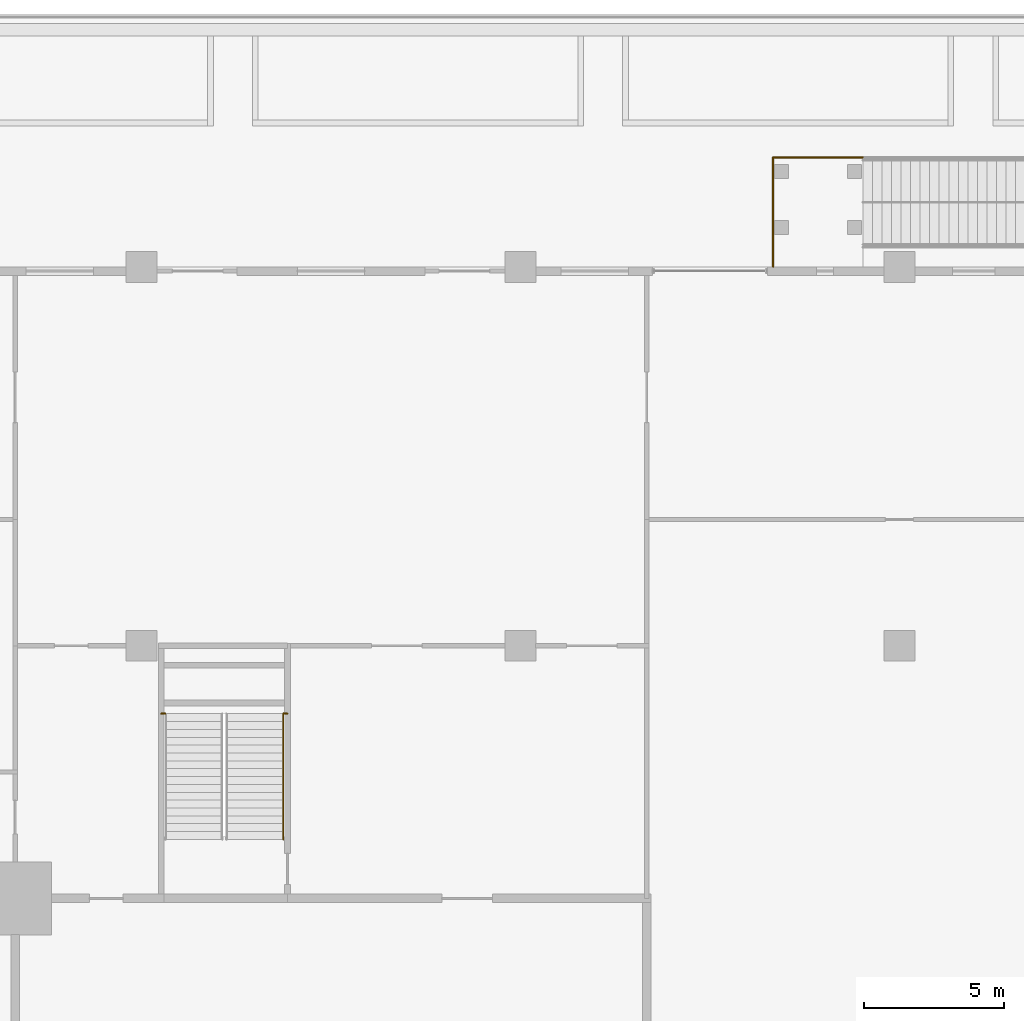
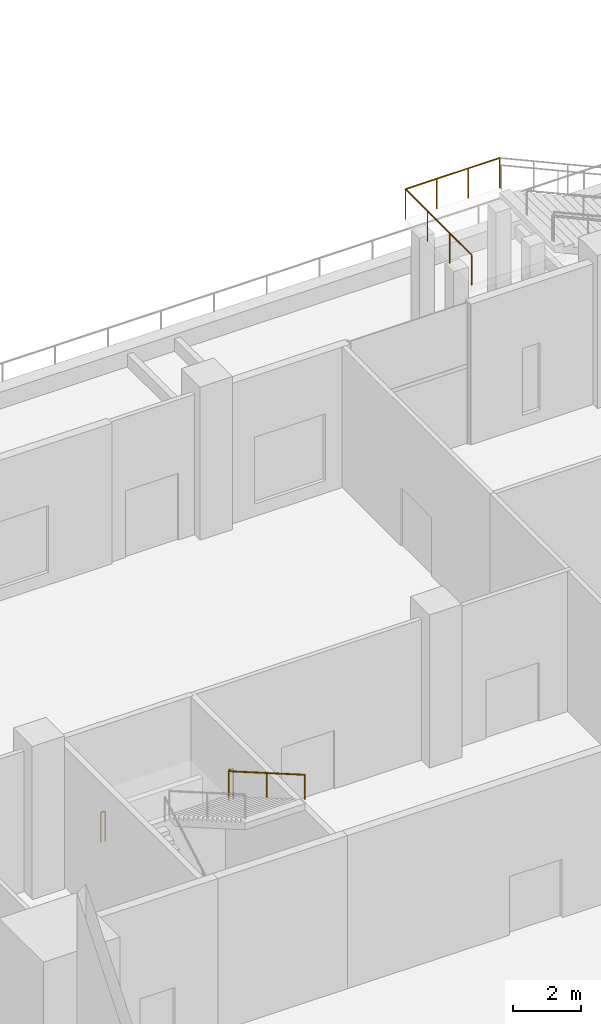
# One storey, part 46 of 47: 5 railings.
"""IFC4 building model written with IfcOpenShell, lengths in metres."""

from ifc_helpers import new_model, si_unit, direction, frame, origin, origin_2d, place, context, subcontext, project, spatial, circle, extrude, source, transform, mapped, material, type_object, element, save


model = new_model("IFC4")

# Units and contexts
model_context = context("Model", 3, precision=1e-05, world=origin(), true_north=direction((0.0, 1.0)))
body_context = subcontext(model_context, "Body", "Model", "MODEL_VIEW")
ifc_project = project(units=[si_unit("LENGTHUNIT", "METRE"), si_unit("AREAUNIT", "SQUARE_METRE"), si_unit("VOLUMEUNIT", "CUBIC_METRE"), si_unit("PLANEANGLEUNIT", "RADIAN"), si_unit("MASSUNIT", "GRAM", prefix="KILO")], contexts=[model_context])

# Site, building, storey
site_placement = place(None, origin())
site = spatial("IfcSite", under=ifc_project, at=site_placement, CompositionType="ELEMENT")
building_placement = place(site_placement, origin())
building = spatial("IfcBuilding", under=site, at=building_placement, Name="Altepetl Exchange Towers", CompositionType="ELEMENT")
storey_placement = place(building_placement, frame((0.0, 0.0, 6.0)))
storey = spatial("IfcBuildingStorey", under=building, at=storey_placement, Name="L01 Retail podium", CompositionType="ELEMENT", Elevation=6.0)

# Railings
ifc_material_1 = material(Name="Laminated glass and steel", Category="steel")
railing_type_1 = type_object("IfcRailingType", Name="Hall gallery guard 1100", PredefinedType="GUARDRAIL", material=ifc_material_1)
shared_shape_1 = source(origin(), body_context, "Body", "SweptSolid", [
    extrude(circle(Radius=0.02001953125, at=origin_2d()), origin(), (0.0, 0.0, 1.0), 1.050048828125),
])
railing_1_placement = place(storey_placement, frame((77.199951171875, 74.080078125, 2.75)))
element("IfcRailing", 1, at=railing_1_placement, inside=storey, type_object=railing_type_1, Name="rail:P:L01:PX2land0", PredefinedType="GUARDRAIL", context=body_context, shape_type="SweptSolid", body=[
    extrude(circle(Radius=0.02490234375, at=origin_2d()), frame((0.0, 0.0, 1.0751953125), z_axis=(1.0, 0.0, 0.0), x_axis=(0.0, 1.0, 0.0)), (0.0, 0.0, 1.0), 0.150146484375),
    mapped(shared_shape_1, transform((0.0, 0.0, 0.0))),
    mapped(shared_shape_1, transform((0.150146484375, 0.0, 0.0))),
])
railing_2_placement = place(storey_placement, frame((81.550048828125, 74.080078125, 2.75)))
element("IfcRailing", 2, at=railing_2_placement, inside=storey, type_object=railing_type_1, Name="rail:P:L01:PX2land1", PredefinedType="GUARDRAIL", context=body_context, shape_type="SweptSolid", body=[
    extrude(circle(Radius=0.02490234375, at=origin_2d()), frame((0.0, 0.0, 1.0751953125), z_axis=(1.0, 0.0, 0.0), x_axis=(0.0, 1.0, 0.0)), (0.0, 0.0, 1.0), 0.14990234375),
    mapped(shared_shape_1, transform((0.0, 0.0, 0.0))),
    mapped(shared_shape_1, transform((0.14990234375, 0.0, 0.0))),
])
railing_3_placement = place(storey_placement, frame((99.0, 90.0, 5.5)))
element("IfcRailing", 3, at=railing_3_placement, inside=storey, type_object=railing_type_1, Name="rail:P:L01:R2platform_end", PredefinedType="GUARDRAIL", context=body_context, shape_type="SweptSolid", body=[
    extrude(circle(Radius=0.02490234375, at=origin_2d()), frame((0.0, 0.0, 1.0751953125), z_axis=(0.0, 1.0, 0.0), x_axis=(-1.0, 0.0, 0.0)), (0.0, 0.0, 1.0), 3.89990234375),
    mapped(shared_shape_1, transform((0.0, 0.0, 0.0))),
    mapped(shared_shape_1, transform((0.0, 1.300048828125, 0.0))),
    mapped(shared_shape_1, transform((0.0, 2.599853515625, 0.0))),
    mapped(shared_shape_1, transform((0.0, 3.89990234375, 0.0))),
])
railing_4_placement = place(storey_placement, frame((99.0, 93.89990234375, 5.5)))
element("IfcRailing", 4, at=railing_4_placement, inside=storey, type_object=railing_type_1, Name="rail:P:L01:R2platform_out", PredefinedType="GUARDRAIL", context=body_context, shape_type="SweptSolid", body=[
    extrude(circle(Radius=0.02490234375, at=origin_2d()), frame((0.0, 0.0, 1.0751953125), z_axis=(1.0, 0.0, 0.0), x_axis=(0.0, 1.0, 0.0)), (0.0, 0.0, 1.0), 3.199951171875),
    mapped(shared_shape_1, transform((0.0, 0.0, 0.0))),
    mapped(shared_shape_1, transform((1.066650390625, 0.0, 0.0))),
    mapped(shared_shape_1, transform((2.13330078125, 0.0, 0.0))),
    mapped(shared_shape_1, transform((3.199951171875, 0.0, 0.0))),
])
ifc_material_2 = material(Name="Stainless steel", Category="steel")
railing_type_2 = type_object("IfcRailingType", Name="Stair handrail 900", PredefinedType="HANDRAIL", material=ifc_material_2)
shared_shape_2 = source(origin(), body_context, "Body", "SweptSolid", [
    extrude(circle(Radius=0.02001953125, at=origin_2d()), origin(), (0.0, 0.0, 1.0), 0.849853515625),
])
railing_5_placement = place(storey_placement, frame((81.550048828125, 74.080078125, 2.911865234375)))
element("IfcRailing", 5, at=railing_5_placement, inside=storey, type_object=railing_type_2, Name="rail:P:L01:PX2:2b", PredefinedType="HANDRAIL", context=body_context, shape_type="SweptSolid", body=[
    extrude(circle(Radius=0.02490234375, at=origin_2d()), frame((0.0, 0.0, 0.875), z_axis=(0.0, -0.865890054794, 0.500234358086), x_axis=(1.0, 0.0, 0.0)), (0.0, 0.0, 1.0), 5.173828125),
    mapped(shared_shape_2, transform((0.0, 0.0, 0.0))),
    mapped(shared_shape_2, transform((0.0, -2.239990234375, 1.2939453125))),
    mapped(shared_shape_2, transform((0.0, -4.47998046875, 2.588134765625))),
])

save(model, "model.ifc")
